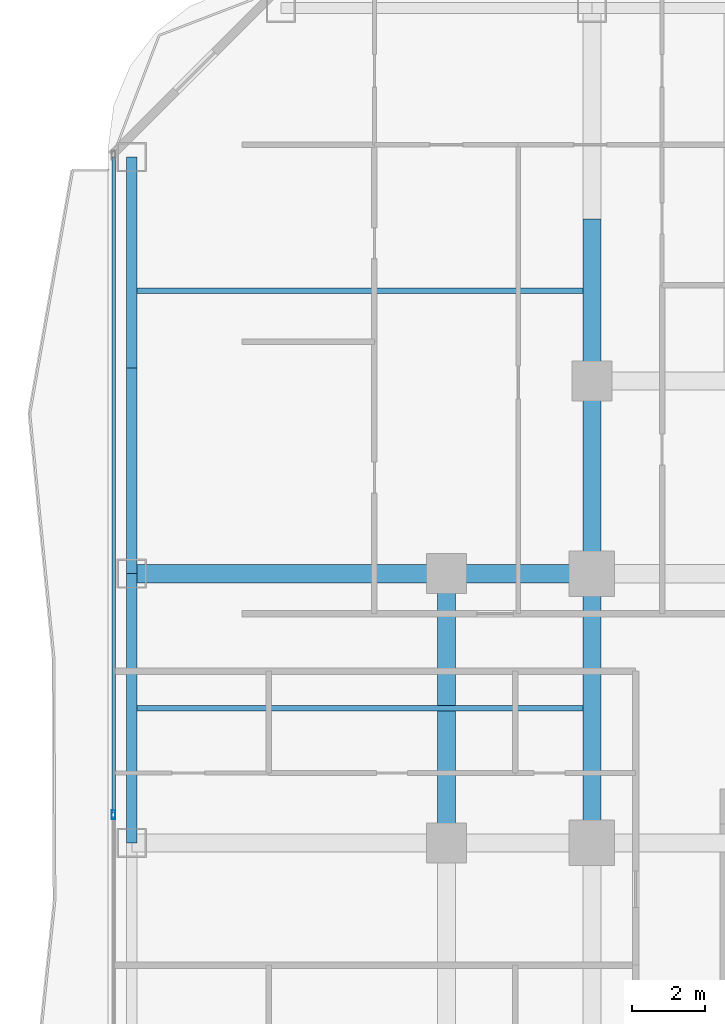
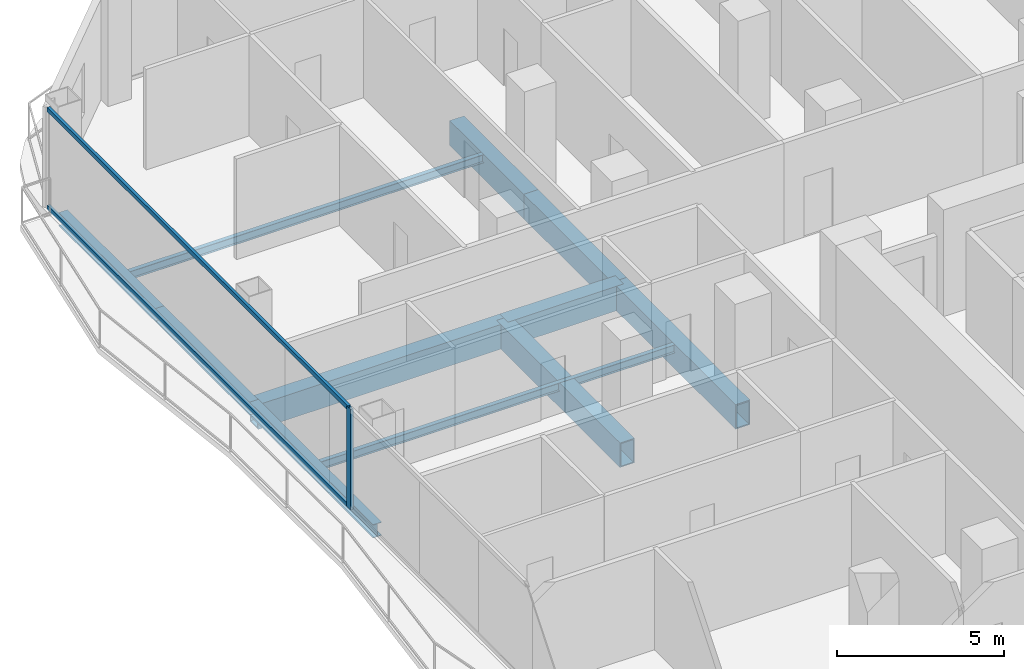
# One storey, part 9 of 29: 11 beams, 3 members, 1 element without a shape of its own.
"""IFC4 building model written with IfcOpenShell, lengths in metres."""

from ifc_helpers import new_model, si_unit, direction, frame, origin, origin_2d, place, context, subcontext, project, spatial, hollow_rectangle, i_section, extrude, material, layer, layer_set, material_profile, profile_set, type_object, element, aggregate, save


model = new_model("IFC4")

# Units and contexts
model_context = context("Model", 3, precision=1e-05, world=origin(), true_north=direction((0.0, 1.0)))
body_context = subcontext(model_context, "Body", "Model", "MODEL_VIEW")
ifc_project = project(units=[si_unit("LENGTHUNIT", "METRE"), si_unit("AREAUNIT", "SQUARE_METRE"), si_unit("VOLUMEUNIT", "CUBIC_METRE"), si_unit("PLANEANGLEUNIT", "RADIAN"), si_unit("MASSUNIT", "GRAM", prefix="KILO")], contexts=[model_context])

# Site, building, storey
site_placement = place(None, origin())
site = spatial("IfcSite", under=ifc_project, at=site_placement, CompositionType="ELEMENT")
building_placement = place(site_placement, origin())
building = spatial("IfcBuilding", under=site, at=building_placement, Name="Khorvyn Point Tower", CompositionType="ELEMENT")
storey_placement = place(building_placement, frame((0.0, 0.0, 85.199951171875)))
storey = spatial("IfcBuildingStorey", under=building, at=storey_placement, Name="L21", CompositionType="ELEMENT", Elevation=85.199951171875)

# Curtain wall, members
ifc_material_1 = material(Name="Anodised aluminium 6063-T6 and laminated Low-E glass", Category="aluminium")
ifc_layer = layer(ifc_material_1, 0.18994140625)
ifc_layer_set = layer_set([ifc_layer], Name="Stick-Built Finned Residential Curtain Wall CW-SYS-02")
curtain_wall_type = type_object("IfcCurtainWallType", Name="Stick-Built Finned Residential Curtain Wall CW-SYS-02", PredefinedType="NOTDEFINED", material=ifc_layer_set)
curtain_wall_placement = place(storey_placement, origin())
curtain_wall = element("IfcCurtainWall", 1, at=curtain_wall_placement, inside=storey, type_object=curtain_wall_type, Name="Curtain Wall", PredefinedType="NOTDEFINED")
ifc_material_2 = material(Name="Anodised aluminium 6063-T6", Category="aluminium")
ifc_material_profile_1 = material_profile(ifc_material_2, hollow_rectangle(XDim=0.10009765625, YDim=0.239990234375, WallThickness=0.0048828125, at=origin_2d()))
ifc_profile_set_1 = profile_set([ifc_material_profile_1], Name="Anodised aluminium 6063-T6 ALU-MUL-100x240")
member_type_1 = type_object("IfcMemberType", Name="Anodised Aluminium 6063-T6 Mullion ALU-MUL-100x240", PredefinedType="MULLION", material=ifc_profile_set_1)
member_1_placement = place(storey_placement, frame((-27.949951171875, 8.175048828125, 0.0), z_axis=(0.0, 0.0, 1.0), x_axis=(-1.0, 0.0, 0.0)))
member_1 = element("IfcMember", 2, at=member_1_placement, type_object=member_type_1, Name="Transom", PredefinedType="MULLION", context=body_context, shape_type="SweptSolid", body=[
    extrude(hollow_rectangle(XDim=0.10009765625, YDim=0.239990234375, WallThickness=0.0048828125, at=origin_2d()), origin(), (0.0, 0.0, 1.0), 3.679931640625),
])
ifc_material_profile_2 = material_profile(ifc_material_2, hollow_rectangle(XDim=0.10009765625, YDim=0.159912109375, WallThickness=0.00439453125, at=origin_2d()))
ifc_profile_set_2 = profile_set([ifc_material_profile_2], Name="Anodised aluminium 6063-T6 ALU-TRN-100x160")
member_type_2 = type_object("IfcMemberType", Name="Anodised Aluminium 6063-T6 Transom ALU-TRN-100x160", PredefinedType="USERDEFINED", material=ifc_profile_set_2)
member_2_placement = place(storey_placement, frame((-27.949951171875, 8.22509765625, 0.050048828125), z_axis=(0.0, 1.0, 0.0), x_axis=(-1.0, 0.0, 0.0)))
member_2 = element("IfcMember", 3, at=member_2_placement, type_object=member_type_2, Name="Transom", ObjectType="TRANSOM", PredefinedType="USERDEFINED", context=body_context, shape_type="SweptSolid", body=[
    extrude(hollow_rectangle(XDim=0.10009765625, YDim=0.159912109375, WallThickness=0.00439453125, at=origin_2d()), origin(), (0.0, 0.0, 1.0), 18.02490234375),
])
member_3_placement = place(storey_placement, frame((-27.949951171875, 8.22509765625, 3.630126953125), z_axis=(0.0, 1.0, 0.0), x_axis=(-1.0, 0.0, 0.0)))
member_3 = element("IfcMember", 4, at=member_3_placement, type_object=member_type_2, Name="Transom", ObjectType="TRANSOM", PredefinedType="USERDEFINED", context=body_context, shape_type="SweptSolid", body=[
    extrude(hollow_rectangle(XDim=0.10009765625, YDim=0.159912109375, WallThickness=0.00439453125, at=origin_2d()), origin(), (0.0, 0.0, 1.0), 18.02490234375),
])
aggregate(curtain_wall, [member_1, member_2, member_3])

# Beams
ifc_material_3 = material(Name="Steel S355", Category="steel")
ifc_material_profile_3 = material_profile(ifc_material_3, i_section(OverallWidth=0.14990234375, OverallDepth=0.300048828125, WebThickness=0.006591796875, FlangeThickness=0.009033203125, at=origin_2d()))
ifc_profile_set_3 = profile_set([ifc_material_profile_3], Name="Steel S355 H300x150x6.5x9")
beam_type_1 = type_object("IfcBeamType", Name="Steel S355 Joist H300x150x6.5x9", PredefinedType="JOIST", material=ifc_profile_set_3)
for number, where, z_axis, x_axis, name in (
    (5, (-27.300048828125, 11.10009765625, -0.429931640625), (1.0, 0.0, 0.0), (0.0, 1.0, 0.0), "Beam"),
    (6, (-27.300048828125, 22.574951171875, -0.429931640625), (1.0, 0.0, 0.0), (0.0, 1.0, 0.0), "Beam"),
):
    element("IfcBeam", number, at=place(storey_placement, frame(where, z_axis=z_axis, x_axis=x_axis)), inside=storey, type_object=beam_type_1, Name=name, PredefinedType="JOIST", context=body_context, shape_type="SweptSolid", body=[
        extrude(i_section(OverallWidth=0.14990234375, OverallDepth=0.300048828125, WebThickness=0.006591796875, FlangeThickness=0.009033203125, at=origin_2d()), origin(), (0.0, 0.0, 1.0), 12.25),
    ])
ifc_material_profile_4 = material_profile(ifc_material_3, i_section(OverallWidth=0.300048828125, OverallDepth=0.488037109375, WebThickness=0.010986328125, FlangeThickness=0.01806640625, at=origin_2d()))
ifc_profile_set_4 = profile_set([ifc_material_profile_4], Name="Steel S355 H488x300x11x18")
beam_type_2 = type_object("IfcBeamType", Name="Steel S355 Spandrel H488x300x11x18", PredefinedType="SPANDREL", material=ifc_profile_set_4)
beam_1_placement = place(storey_placement, frame((-27.449951171875, 7.39990234375, -0.52392578125), z_axis=(0.0, 1.0, 0.0), x_axis=(-1.0, 0.0, 0.0)))
element("IfcBeam", 7, at=beam_1_placement, inside=storey, type_object=beam_type_2, Name="Beam", PredefinedType="SPANDREL", context=body_context, shape_type="SweptSolid", body=[
    extrude(i_section(OverallWidth=0.300048828125, OverallDepth=0.488037109375, WebThickness=0.010986328125, FlangeThickness=0.01806640625, at=origin_2d()), origin(), (0.0, 0.0, 1.0), 7.400146484375),
])
beam_2_placement = place(storey_placement, frame((-27.449951171875, 14.800048828125, -0.52392578125), z_axis=(0.0, 1.0, 0.0), x_axis=(-1.0, 0.0, 0.0)))
element("IfcBeam", 8, at=beam_2_placement, inside=storey, type_object=beam_type_2, Name="Beam", PredefinedType="SPANDREL", context=body_context, shape_type="SweptSolid", body=[
    extrude(i_section(OverallWidth=0.300048828125, OverallDepth=0.488037109375, WebThickness=0.010986328125, FlangeThickness=0.01806640625, at=origin_2d()), origin(), (0.0, 0.0, 1.0), 5.64990234375),
])
beam_3_placement = place(storey_placement, frame((-27.449951171875, 20.449951171875, -0.52392578125), z_axis=(0.0, 1.0, 0.0), x_axis=(-1.0, 0.0, 0.0)))
element("IfcBeam", 9, at=beam_3_placement, inside=storey, type_object=beam_type_2, Name="Beam", PredefinedType="SPANDREL", context=body_context, shape_type="SweptSolid", body=[
    extrude(i_section(OverallWidth=0.300048828125, OverallDepth=0.488037109375, WebThickness=0.010986328125, FlangeThickness=0.01806640625, at=origin_2d()), origin(), (0.0, 0.0, 1.0), 5.800048828125),
])
ifc_material_4 = material(Name="Steel S450", Category="steel")
ifc_material_profile_5 = material_profile(ifc_material_4, hollow_rectangle(XDim=0.5, YDim=0.89990234375, WallThickness=0.0400390625, at=origin_2d()))
ifc_profile_set_5 = profile_set([ifc_material_profile_5], Name="Steel S450 BOX900x500x40")
beam_type_3 = type_object("IfcBeamType", Name="Steel S450 Beam BOX900x500x40", PredefinedType="BEAM", material=ifc_profile_set_5)
beam_4_placement = place(storey_placement, frame((-27.449951171875, 14.800048828125, -0.72998046875), z_axis=(1.0, 0.0, 0.0), x_axis=(0.0, 1.0, 0.0)))
element("IfcBeam", 10, at=beam_4_placement, inside=storey, type_object=beam_type_3, Name="L21 Radial Transfer Girder", PredefinedType="BEAM", context=body_context, shape_type="SweptSolid", body=[
    extrude(hollow_rectangle(XDim=0.5, YDim=0.89990234375, WallThickness=0.0400390625, at=origin_2d()), origin(), (0.0, 0.0, 1.0), 8.64990234375),
])
beam_5_placement = place(storey_placement, frame((-18.800048828125, 14.800048828125, -0.72998046875), z_axis=(1.0, 0.0, 0.0), x_axis=(0.0, 1.0, 0.0)))
element("IfcBeam", 11, at=beam_5_placement, inside=storey, type_object=beam_type_3, Name="L21 Radial Transfer Girder", PredefinedType="BEAM", context=body_context, shape_type="SweptSolid", body=[
    extrude(hollow_rectangle(XDim=0.5, YDim=0.89990234375, WallThickness=0.0400390625, at=origin_2d()), origin(), (0.0, 0.0, 1.0), 4.0),
])
beam_6_placement = place(storey_placement, frame((-14.800048828125, 7.39990234375, -0.72998046875), z_axis=(0.0, 1.0, 0.0), x_axis=(-1.0, 0.0, 0.0)))
element("IfcBeam", 12, at=beam_6_placement, inside=storey, type_object=beam_type_3, Name="L21 Radial Transfer Girder", PredefinedType="BEAM", context=body_context, shape_type="SweptSolid", body=[
    extrude(hollow_rectangle(XDim=0.5, YDim=0.89990234375, WallThickness=0.0400390625, at=origin_2d()), origin(), (0.0, 0.0, 1.0), 7.400146484375),
])
beam_7_placement = place(storey_placement, frame((-14.800048828125, 14.800048828125, -0.72998046875), z_axis=(0.0, 1.0, 0.0), x_axis=(-1.0, 0.0, 0.0)))
element("IfcBeam", 13, at=beam_7_placement, inside=storey, type_object=beam_type_3, Name="L21 Radial Transfer Girder", PredefinedType="BEAM", context=body_context, shape_type="SweptSolid", body=[
    extrude(hollow_rectangle(XDim=0.5, YDim=0.89990234375, WallThickness=0.0400390625, at=origin_2d()), origin(), (0.0, 0.0, 1.0), 5.300048828125),
])
beam_8_placement = place(storey_placement, frame((-14.800048828125, 20.10009765625, -0.72998046875), z_axis=(0.0, 1.0, 0.0), x_axis=(-1.0, 0.0, 0.0)))
element("IfcBeam", 14, at=beam_8_placement, inside=storey, type_object=beam_type_3, Name="L21 Radial Transfer Girder", PredefinedType="BEAM", context=body_context, shape_type="SweptSolid", body=[
    extrude(hollow_rectangle(XDim=0.5, YDim=0.89990234375, WallThickness=0.0400390625, at=origin_2d()), origin(), (0.0, 0.0, 1.0), 4.449951171875),
])
beam_9_placement = place(storey_placement, frame((-18.800048828125, 7.39990234375, -0.72998046875), z_axis=(0.0, 1.0, 0.0), x_axis=(-1.0, 0.0, 0.0)))
element("IfcBeam", 15, at=beam_9_placement, inside=storey, type_object=beam_type_3, Name="Beam", PredefinedType="BEAM", context=body_context, shape_type="SweptSolid", body=[
    extrude(hollow_rectangle(XDim=0.5, YDim=0.89990234375, WallThickness=0.0400390625, at=origin_2d()), origin(), (0.0, 0.0, 1.0), 7.400146484375),
])

save(model, "model.ifc")
